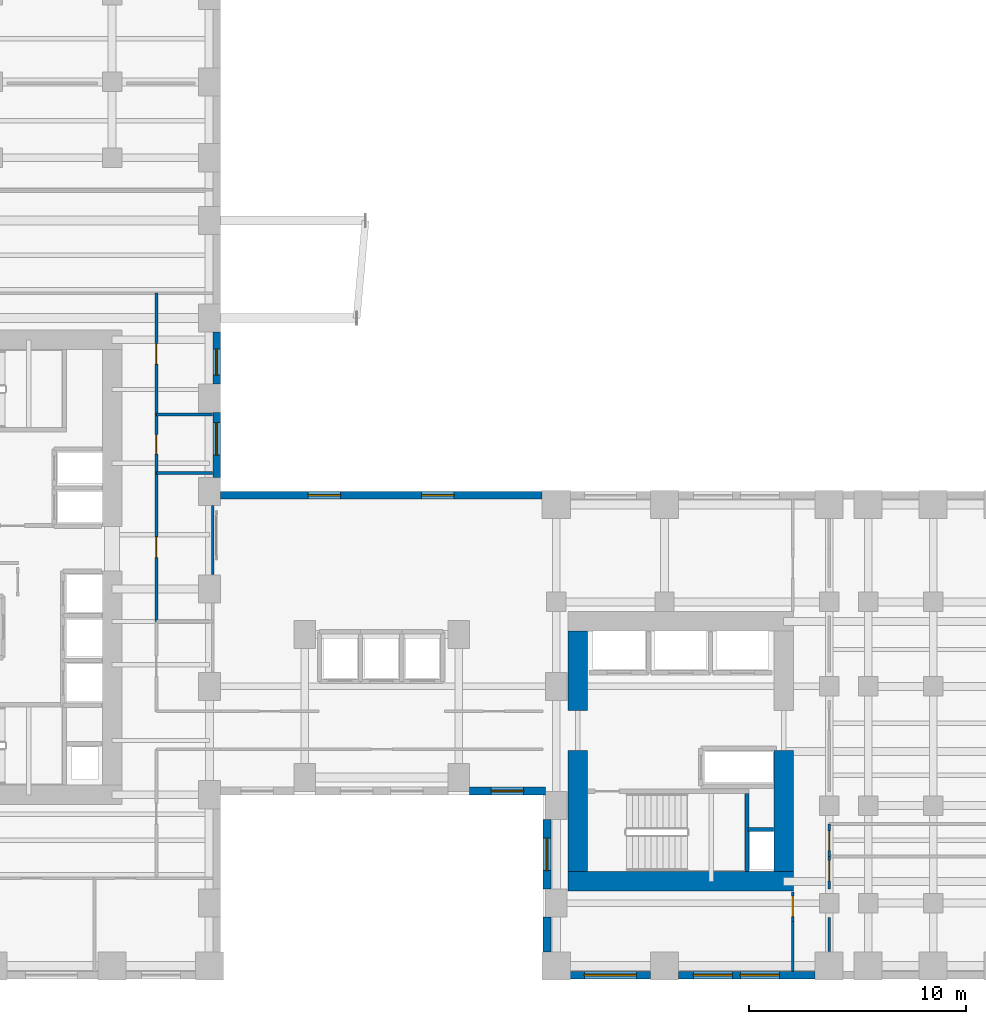
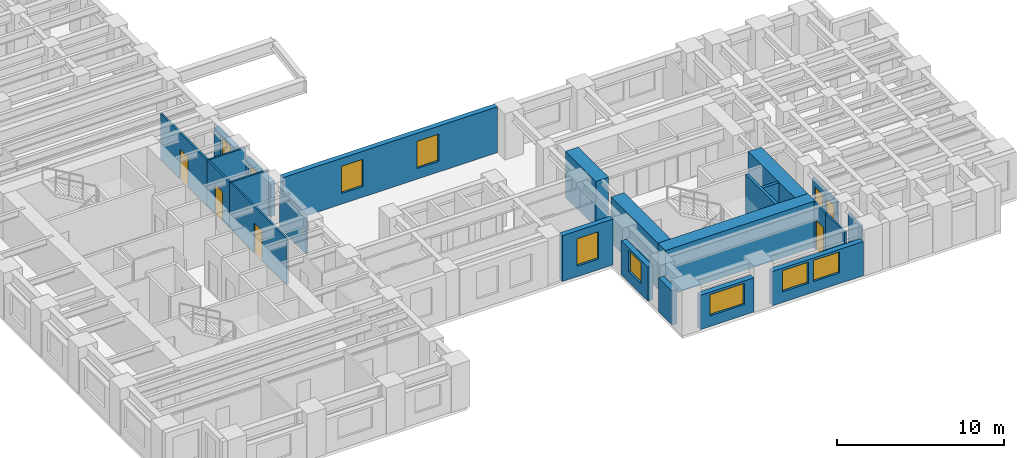
# One storey, part 8 of 13: 25 walls, 9 windows, 6 doors, 15 openings.
"""IFC4 building model written with IfcOpenShell, lengths in metres."""

from ifc_helpers import new_model, si_unit, direction, frame, frame_2d, origin, place, context, subcontext, project, spatial, rectangle, extrude, source, transform, mapped, material, layer, layer_set, type_object, element, fill, save


model = new_model("IFC4")

# Units and contexts
model_context = context("Model", 3, precision=1e-05, world=origin(), true_north=direction((0.0, 1.0)))
body_context = subcontext(model_context, "Body", "Model", "MODEL_VIEW")
ifc_project = project(units=[si_unit("LENGTHUNIT", "METRE"), si_unit("AREAUNIT", "SQUARE_METRE"), si_unit("VOLUMEUNIT", "CUBIC_METRE"), si_unit("PLANEANGLEUNIT", "RADIAN"), si_unit("MASSUNIT", "GRAM", prefix="KILO")], contexts=[model_context])

# Site, building, storey
site_placement = place(None, origin())
site = spatial("IfcSite", under=ifc_project, at=site_placement, CompositionType="ELEMENT")
building_placement = place(site_placement, origin())
building = spatial("IfcBuilding", under=site, at=building_placement, Name="Kharzan Plaza Tower", CompositionType="ELEMENT")
storey_placement = place(building_placement, frame((0.0, 0.0, 65.699951171875)))
storey = spatial("IfcBuildingStorey", under=building, at=storey_placement, Name="L17", CompositionType="ELEMENT", Elevation=65.699951171875)

# Wall, opening, window
ifc_material_1 = material(Name="Concrete C40/50", Category="concrete")
ifc_layer_1 = layer(ifc_material_1, 0.35009765625)
ifc_layer_set_1 = layer_set([ifc_layer_1], Name="Concrete C40/50")
wall_type_1 = type_object("IfcWallType", Name="WL-EXT-MAS-Z1", PredefinedType="SOLIDWALL", material=ifc_layer_set_1)
wall_1_placement = place(storey_placement, frame((30.998046875, 8.675048828125, 0.0), z_axis=(0.0, 0.0, 1.0), x_axis=(1.0, 0.0, 0.0)))
wall_1 = element("IfcWall", 1, at=wall_1_placement, inside=storey, type_object=wall_type_1, Name="L17 Masonry-Frame Exterior Wall 30", PredefinedType="SOLIDWALL", context=body_context, shape_type="SweptSolid", body=[
    extrude(rectangle(XDim=3.50390625, YDim=0.35009765625, at=frame_2d((1.751953125, 0.0))), origin(), (0.0, 0.0, 1.0), 3.364990234375),
])
opening_1_placement = place(wall_1_placement, frame((1.001953125, 0.0, 0.780029296875)))
opening_1 = element("IfcOpeningElement", 2, at=opening_1_placement, cuts=wall_1, Name="Opening W5", PredefinedType="OPENING", context=body_context, shape_type="SweptSolid", body=[
    extrude(rectangle(XDim=1.5, YDim=2.0, at=frame_2d((0.75, 1.0))), frame((0.0, 0.18505859375, 0.0), z_axis=(0.0, -1.0, 0.0), x_axis=(1.0, 0.0, 0.0)), (0.0, 0.0, 1.0), 0.3701171875),
])
ifc_material_2 = material(Name="Low-E Double Glazing", Category="glass")
window_type_1 = type_object("IfcWindowType", Name="WN-SLT-1500x2000", PartitioningType="SINGLE_PANEL", PredefinedType="WINDOW", material=ifc_material_2)
shared_shape_1 = source(origin(), body_context, "Body", "SweptSolid", [
    extrude(rectangle(XDim=1.5, YDim=2.0, at=frame_2d((0.75, 1.0))), frame((0.0, 0.030029296875, 0.0), z_axis=(0.0, -1.0, 0.0), x_axis=(1.0, 0.0, 0.0)), (0.0, 0.0, 1.0), 0.06005859375),
])
window_1_placement = place(opening_1_placement, origin())
window_1 = element("IfcWindow", 3, at=window_1_placement, inside=storey, type_object=window_type_1, Name="L17 Recessed Solar-Control Window 30-1", OverallHeight=2.0, OverallWidth=1.5, PartitioningType="SINGLE_PANEL", PredefinedType="WINDOW", context=body_context, shape_type="MappedRepresentation", body=[
    mapped(shared_shape_1, transform((0.0, 0.0, 0.0), x_axis=(1.0, 0.0, 0.0), y_axis=(0.0, 1.0, 0.0), z_axis=(0.0, 0.0, 1.0))),
])
fill(opening_1, window_1)

wall_2_placement = place(storey_placement, frame((34.574951171875, 7.35205078125, 0.0), z_axis=(0.0, 0.0, 1.0), x_axis=(0.0, -1.0, 0.0)))
wall_2 = element("IfcWall", 4, at=wall_2_placement, inside=storey, type_object=wall_type_1, Name="L17 Masonry-Frame Exterior Wall 31", PredefinedType="SOLIDWALL", context=body_context, shape_type="SweptSolid", body=[
    extrude(rectangle(XDim=3.2041015625, YDim=0.35009765625, at=frame_2d((1.60205078125, 0.0))), origin(), (0.0, 0.0, 1.0), 2.510009765625),
])
opening_2_placement = place(wall_2_placement, frame((0.85205078125, 0.0, 0.780029296875)))
opening_2 = element("IfcOpeningElement", 5, at=opening_2_placement, cuts=wall_2, Name="Opening W5", PredefinedType="OPENING", context=body_context, shape_type="SweptSolid", body=[
    extrude(rectangle(XDim=1.5, YDim=1.550048828125, at=frame_2d((0.75, 0.77490234375))), frame((0.0, 0.18505859375, 0.0), z_axis=(0.0, -1.0, 0.0), x_axis=(1.0, 0.0, 0.0)), (0.0, 0.0, 1.0), 0.3701171875),
])
shared_shape_2 = source(origin(), body_context, "Body", "SweptSolid", [
    extrude(rectangle(XDim=1.5, YDim=1.550048828125, at=frame_2d((0.75, 0.77490234375))), frame((0.0, 0.030029296875, 0.0), z_axis=(0.0, -1.0, 0.0), x_axis=(1.0, 0.0, 0.0)), (0.0, 0.0, 1.0), 0.06005859375),
])
window_2_placement = place(opening_2_placement, origin())
window_2 = element("IfcWindow", 6, at=window_2_placement, inside=storey, type_object=window_type_1, Name="L17 Recessed Solar-Control Window 31-1", OverallHeight=1.550048828125, OverallWidth=1.5, PartitioningType="SINGLE_PANEL", PredefinedType="WINDOW", context=body_context, shape_type="MappedRepresentation", body=[
    mapped(shared_shape_2, transform((0.0, 0.0, 0.0), x_axis=(1.0, 0.0, 0.0), y_axis=(0.0, 1.0, 0.0), z_axis=(0.0, 0.0, 1.0))),
])
fill(opening_2, window_2)

wall_3_placement = place(storey_placement, frame((35.64794921875, 0.175048828125, 0.0), z_axis=(0.0, 0.0, 1.0), x_axis=(1.0, 0.0, 0.0)))
wall_3 = element("IfcWall", 7, at=wall_3_placement, inside=storey, type_object=wall_type_1, Name="L17 Masonry-Frame Exterior Wall 33", PredefinedType="SOLIDWALL", context=body_context, shape_type="SweptSolid", body=[
    extrude(rectangle(XDim=3.7041015625, YDim=0.35009765625, at=frame_2d((1.85205078125, 0.0))), origin(), (0.0, 0.0, 1.0), 2.510009765625),
])
opening_3_placement = place(wall_3_placement, frame((0.652099609375, 0.0, 0.780029296875)))
opening_3 = element("IfcOpeningElement", 8, at=opening_3_placement, cuts=wall_3, Name="Opening W2", PredefinedType="OPENING", context=body_context, shape_type="SweptSolid", body=[
    extrude(rectangle(XDim=2.39990234375, YDim=1.550048828125, at=frame_2d((1.199951171875, 0.77490234375))), frame((0.0, 0.18505859375, 0.0), z_axis=(0.0, -1.0, 0.0), x_axis=(1.0, 0.0, 0.0)), (0.0, 0.0, 1.0), 0.3701171875),
])
window_type_2 = type_object("IfcWindowType", Name="WN-REC-2400x2100", PartitioningType="SINGLE_PANEL", PredefinedType="WINDOW", material=ifc_material_2)
shared_shape_3 = source(origin(), body_context, "Body", "SweptSolid", [
    extrude(rectangle(XDim=2.39990234375, YDim=1.550048828125, at=frame_2d((1.199951171875, 0.77490234375))), frame((0.0, 0.030029296875, 0.0), z_axis=(0.0, -1.0, 0.0), x_axis=(1.0, 0.0, 0.0)), (0.0, 0.0, 1.0), 0.06005859375),
])
window_3_placement = place(opening_3_placement, origin())
window_3 = element("IfcWindow", 9, at=window_3_placement, inside=storey, type_object=window_type_2, Name="L17 Wide Recessed Solar-Control Window 33-1", OverallHeight=1.550048828125, OverallWidth=2.39990234375, PartitioningType="SINGLE_PANEL", PredefinedType="WINDOW", context=body_context, shape_type="MappedRepresentation", body=[
    mapped(shared_shape_3, transform((0.0, 0.0, 0.0), x_axis=(1.0, 0.0, 0.0), y_axis=(0.0, 1.0, 0.0), z_axis=(0.0, 0.0, 1.0))),
])
fill(opening_3, window_3)

# Wall, openings, windows
wall_4_placement = place(storey_placement, frame((40.64794921875, 0.175048828125, 0.0), z_axis=(0.0, 0.0, 1.0), x_axis=(1.0, 0.0, 0.0)))
wall_4 = element("IfcWall", 10, at=wall_4_placement, inside=storey, type_object=wall_type_1, Name="L17 Masonry-Frame Exterior Wall 34", PredefinedType="SOLIDWALL", context=body_context, shape_type="SweptSolid", body=[
    extrude(rectangle(XDim=6.303955078125, YDim=0.35009765625, at=frame_2d((3.15185546875, 0.0))), origin(), (0.0, 0.0, 1.0), 2.510009765625),
])
opening_4_placement = place(wall_4_placement, frame((0.687255859375, 0.0, 0.780029296875)))
opening_4 = element("IfcOpeningElement", 11, at=opening_4_placement, cuts=wall_4, Name="Opening W1", PredefinedType="OPENING", context=body_context, shape_type="SweptSolid", body=[
    extrude(rectangle(XDim=1.800048828125, YDim=1.550048828125, at=frame_2d((0.89990234375, 0.77490234375))), frame((0.0, 0.18505859375, 0.0), z_axis=(0.0, -1.0, 0.0), x_axis=(1.0, 0.0, 0.0)), (0.0, 0.0, 1.0), 0.3701171875),
])
opening_5_placement = place(wall_4_placement, frame((2.854736328125, 0.0, 0.780029296875)))
opening_5 = element("IfcOpeningElement", 12, at=opening_5_placement, cuts=wall_4, Name="Opening W1", PredefinedType="OPENING", context=body_context, shape_type="SweptSolid", body=[
    extrude(rectangle(XDim=1.800048828125, YDim=1.550048828125, at=frame_2d((0.89990234375, 0.77490234375))), frame((0.0, 0.18505859375, 0.0), z_axis=(0.0, -1.0, 0.0), x_axis=(1.0, 0.0, 0.0)), (0.0, 0.0, 1.0), 0.3701171875),
])
window_type_3 = type_object("IfcWindowType", Name="WN-REC-1800x2100", PartitioningType="SINGLE_PANEL", PredefinedType="WINDOW", material=ifc_material_2)
shared_shape_4 = source(origin(), body_context, "Body", "SweptSolid", [
    extrude(rectangle(XDim=1.800048828125, YDim=1.550048828125, at=frame_2d((0.89990234375, 0.77490234375))), frame((0.0, 0.030029296875, 0.0), z_axis=(0.0, -1.0, 0.0), x_axis=(1.0, 0.0, 0.0)), (0.0, 0.0, 1.0), 0.06005859375),
])
window_4_placement = place(opening_4_placement, origin())
window_4 = element("IfcWindow", 13, at=window_4_placement, inside=storey, type_object=window_type_3, Name="L17 Recessed Solar-Control Window 34-1", OverallHeight=1.550048828125, OverallWidth=1.800048828125, PartitioningType="SINGLE_PANEL", PredefinedType="WINDOW", context=body_context, shape_type="MappedRepresentation", body=[
    mapped(shared_shape_4, transform((0.0, 0.0, 0.0), x_axis=(1.0, 0.0, 0.0), y_axis=(0.0, 1.0, 0.0), z_axis=(0.0, 0.0, 1.0))),
])
fill(opening_4, window_4)
window_5_placement = place(opening_5_placement, origin())
window_5 = element("IfcWindow", 14, at=window_5_placement, inside=storey, type_object=window_type_3, Name="L17 Recessed Solar-Control Window 34-2", OverallHeight=1.550048828125, OverallWidth=1.800048828125, PartitioningType="SINGLE_PANEL", PredefinedType="WINDOW", context=body_context, shape_type="MappedRepresentation", body=[
    mapped(shared_shape_4, transform((0.0, 0.0, 0.0), x_axis=(1.0, 0.0, 0.0), y_axis=(0.0, 1.0, 0.0), z_axis=(0.0, 0.0, 1.0))),
])
fill(opening_5, window_5)

wall_5_placement = place(storey_placement, frame((34.35205078125, 22.324951171875, 0.0), z_axis=(0.0, 0.0, 1.0), x_axis=(-1.0, 0.0, 0.0)))
wall_5 = element("IfcWall", 15, at=wall_5_placement, inside=storey, type_object=wall_type_1, Name="L17 Masonry-Frame Exterior Wall 53", PredefinedType="SOLIDWALL", context=body_context, shape_type="SweptSolid", body=[
    extrude(rectangle(XDim=14.85400390625, YDim=0.35009765625, at=frame_2d((7.427001953125, 0.0))), origin(), (0.0, 0.0, 1.0), 3.364990234375),
])
opening_6_placement = place(wall_5_placement, frame((4.05810546875, 0.0, 0.780029296875)))
opening_6 = element("IfcOpeningElement", 16, at=opening_6_placement, cuts=wall_5, Name="Opening W5", PredefinedType="OPENING", context=body_context, shape_type="SweptSolid", body=[
    extrude(rectangle(XDim=1.5, YDim=2.0, at=frame_2d((0.75, 1.0))), frame((0.0, 0.18505859375, 0.0), z_axis=(0.0, -1.0, 0.0), x_axis=(1.0, 0.0, 0.0)), (0.0, 0.0, 1.0), 0.3701171875),
])
opening_7_placement = place(wall_5_placement, frame((9.2958984375, 0.0, 0.780029296875)))
opening_7 = element("IfcOpeningElement", 17, at=opening_7_placement, cuts=wall_5, Name="Opening W5", PredefinedType="OPENING", context=body_context, shape_type="SweptSolid", body=[
    extrude(rectangle(XDim=1.5, YDim=2.0, at=frame_2d((0.75, 1.0))), frame((0.0, 0.18505859375, 0.0), z_axis=(0.0, -1.0, 0.0), x_axis=(1.0, 0.0, 0.0)), (0.0, 0.0, 1.0), 0.3701171875),
])
window_6_placement = place(opening_6_placement, origin())
window_6 = element("IfcWindow", 18, at=window_6_placement, inside=storey, type_object=window_type_1, Name="L17 Recessed Solar-Control Window 53-1", OverallHeight=2.0, OverallWidth=1.5, PartitioningType="SINGLE_PANEL", PredefinedType="WINDOW", context=body_context, shape_type="MappedRepresentation", body=[
    mapped(shared_shape_1, transform((0.0, 0.0, 0.0), x_axis=(1.0, 0.0, 0.0), y_axis=(0.0, 1.0, 0.0), z_axis=(0.0, 0.0, 1.0))),
])
fill(opening_6, window_6)
window_7_placement = place(opening_7_placement, origin())
window_7 = element("IfcWindow", 19, at=window_7_placement, inside=storey, type_object=window_type_1, Name="L17 Recessed Solar-Control Window 53-2", OverallHeight=2.0, OverallWidth=1.5, PartitioningType="SINGLE_PANEL", PredefinedType="WINDOW", context=body_context, shape_type="MappedRepresentation", body=[
    mapped(shared_shape_1, transform((0.0, 0.0, 0.0), x_axis=(1.0, 0.0, 0.0), y_axis=(0.0, 1.0, 0.0), z_axis=(0.0, 0.0, 1.0))),
])
fill(opening_7, window_7)

# Wall, opening, window
wall_6_placement = place(storey_placement, frame((19.324951171875, 23.14794921875, 0.0), z_axis=(0.0, 0.0, 1.0), x_axis=(0.0, 1.0, 0.0)))
wall_6 = element("IfcWall", 20, at=wall_6_placement, inside=storey, type_object=wall_type_1, Name="L17 Masonry-Frame Exterior Wall 54", PredefinedType="SOLIDWALL", context=body_context, shape_type="SweptSolid", body=[
    extrude(rectangle(XDim=3.004150390625, YDim=0.35009765625, at=frame_2d((1.501953125, 0.0))), origin(), (0.0, 0.0, 1.0), 2.510009765625),
])
opening_8_placement = place(wall_6_placement, frame((1.030517578125, 0.0, 0.780029296875)))
opening_8 = element("IfcOpeningElement", 21, at=opening_8_placement, cuts=wall_6, Name="Opening W5", PredefinedType="OPENING", context=body_context, shape_type="SweptSolid", body=[
    extrude(rectangle(XDim=1.5, YDim=1.550048828125, at=frame_2d((0.75, 0.77490234375))), frame((0.0, 0.18505859375, 0.0), z_axis=(0.0, -1.0, 0.0), x_axis=(1.0, 0.0, 0.0)), (0.0, 0.0, 1.0), 0.3701171875),
])
window_8_placement = place(opening_8_placement, origin())
window_8 = element("IfcWindow", 22, at=window_8_placement, inside=storey, type_object=window_type_1, Name="L17 Recessed Solar-Control Window 54-1", OverallHeight=1.550048828125, OverallWidth=1.5, PartitioningType="SINGLE_PANEL", PredefinedType="WINDOW", context=body_context, shape_type="MappedRepresentation", body=[
    mapped(shared_shape_2, transform((0.0, 0.0, 0.0), x_axis=(1.0, 0.0, 0.0), y_axis=(0.0, 1.0, 0.0), z_axis=(0.0, 0.0, 1.0))),
])
fill(opening_8, window_8)

wall_7_placement = place(storey_placement, frame((19.324951171875, 27.447998046875, 0.0), z_axis=(0.0, 0.0, 1.0), x_axis=(0.0, 1.0, 0.0)))
wall_7 = element("IfcWall", 23, at=wall_7_placement, inside=storey, type_object=wall_type_1, Name="L17 Masonry-Frame Exterior Wall 55", PredefinedType="SOLIDWALL", context=body_context, shape_type="SweptSolid", body=[
    extrude(rectangle(XDim=2.404052734375, YDim=0.35009765625, at=frame_2d((1.2021484375, 0.0))), origin(), (0.0, 0.0, 1.0), 2.510009765625),
])
opening_9_placement = place(wall_7_placement, frame((0.417236328125, 0.0, 0.780029296875)))
opening_9 = element("IfcOpeningElement", 24, at=opening_9_placement, cuts=wall_7, Name="Opening W3", PredefinedType="OPENING", context=body_context, shape_type="SweptSolid", body=[
    extrude(rectangle(XDim=1.199951171875, YDim=1.550048828125, at=frame_2d((0.60009765625, 0.77490234375))), frame((0.0, 0.18505859375, 0.0), z_axis=(0.0, -1.0, 0.0), x_axis=(1.0, 0.0, 0.0)), (0.0, 0.0, 1.0), 0.3701171875),
])
window_type_4 = type_object("IfcWindowType", Name="WN-REC-1200x2100", PartitioningType="SINGLE_PANEL", PredefinedType="WINDOW", material=ifc_material_2)
shared_shape_5 = source(origin(), body_context, "Body", "SweptSolid", [
    extrude(rectangle(XDim=1.199951171875, YDim=1.550048828125, at=frame_2d((0.60009765625, 0.77490234375))), frame((0.0, 0.030029296875, 0.0), z_axis=(0.0, -1.0, 0.0), x_axis=(1.0, 0.0, 0.0)), (0.0, 0.0, 1.0), 0.06005859375),
])
window_9_placement = place(opening_9_placement, origin())
window_9 = element("IfcWindow", 25, at=window_9_placement, inside=storey, type_object=window_type_4, Name="L17 Recessed Solar-Control Window 55-1", OverallHeight=1.550048828125, OverallWidth=1.199951171875, PartitioningType="SINGLE_PANEL", PredefinedType="WINDOW", context=body_context, shape_type="MappedRepresentation", body=[
    mapped(shared_shape_5, transform((0.0, 0.0, 0.0), x_axis=(1.0, 0.0, 0.0), y_axis=(0.0, 1.0, 0.0), z_axis=(0.0, 0.0, 1.0))),
])
fill(opening_9, window_9)

# Wall, opening, door
ifc_material_3 = material(Name="Fire-Rated Gypsum Board Partition", Category="gypsum")
ifc_layer_2 = layer(ifc_material_3, 0.125)
ifc_layer_set_2 = layer_set([ifc_layer_2], Name="Fire-Rated Gypsum Board Partition")
wall_type_2 = type_object("IfcWallType", Name="WL-INT-PART-125", PredefinedType="PARTITIONING", material=ifc_layer_set_2)
wall_8_placement = place(storey_placement, frame((16.550048828125, 16.5, 0.0), z_axis=(0.0, 0.0, 1.0), x_axis=(0.0, 1.0, 0.0)))
wall_8 = element("IfcWall", 26, at=wall_8_placement, inside=storey, type_object=wall_type_2, Name="L17 Interior Partition SH-AEWN2", PredefinedType="PARTITIONING", context=body_context, shape_type="SweptSolid", body=[
    extrude(rectangle(XDim=6.85009765625, YDim=0.125, at=frame_2d((3.425048828125, 0.0))), origin(), (0.0, 0.0, 1.0), 3.364990234375),
])
opening_10_placement = place(wall_8_placement, frame((2.949951171875, 0.0, 0.0)))
opening_10 = element("IfcOpeningElement", 27, at=opening_10_placement, cuts=wall_8, Name="Opening OD1", PredefinedType="OPENING", context=body_context, shape_type="SweptSolid", body=[
    extrude(rectangle(XDim=0.949951171875, YDim=2.14990234375, at=frame_2d((0.47509765625, 1.074951171875))), frame((0.0, 0.072509765625, 0.0), z_axis=(0.0, -1.0, 0.0), x_axis=(1.0, 0.0, 0.0)), (0.0, 0.0, 1.0), 0.14501953125),
])
ifc_material_4 = material(Name="Acoustic Solid-Core Stained Oak", Category="timber")
door_type_1 = type_object("IfcDoorType", Name="DR-OFF-SINGLE", OperationType="NOTDEFINED", PredefinedType="DOOR", material=ifc_material_4)
shared_shape_6 = source(origin(), body_context, "Body", "SweptSolid", [
    extrude(rectangle(XDim=0.949951171875, YDim=2.14990234375, at=frame_2d((0.47509765625, 1.074951171875))), frame((0.0, 0.02490234375, 0.0), z_axis=(0.0, -1.0, 0.0), x_axis=(1.0, 0.0, 0.0)), (0.0, 0.0, 1.0), 0.050048828125),
])
door_1_placement = place(opening_10_placement, origin())
door_1 = element("IfcDoor", 28, at=door_1_placement, inside=storey, type_object=door_type_1, Name="L17 Slot Studio Door", OperationType="SINGLE_SWING_RIGHT", OverallHeight=2.14990234375, OverallWidth=0.949951171875, PredefinedType="DOOR", context=body_context, shape_type="MappedRepresentation", body=[
    mapped(shared_shape_6, transform((0.0, 0.0, 0.0), x_axis=(1.0, 0.0, 0.0), y_axis=(0.0, 1.0, 0.0), z_axis=(0.0, 0.0, 1.0))),
])
fill(opening_10, door_1)

wall_9_placement = place(storey_placement, frame((16.550048828125, 26.050048828125, 0.0), z_axis=(0.0, 0.0, 1.0), x_axis=(0.0, 1.0, 0.0)))
wall_9 = element("IfcWall", 29, at=wall_9_placement, inside=storey, type_object=wall_type_2, Name="L17 Interior Partition SH-AEWN3", PredefinedType="PARTITIONING", context=body_context, shape_type="SweptSolid", body=[
    extrude(rectangle(XDim=5.599853515625, YDim=0.125, at=frame_2d((2.7998046875, 0.0))), origin(), (0.0, 0.0, 1.0), 3.364990234375),
])
opening_11_placement = place(wall_9_placement, frame((2.324951171875, 0.0, 0.0)))
opening_11 = element("IfcOpeningElement", 30, at=opening_11_placement, cuts=wall_9, Name="Opening OD1", PredefinedType="OPENING", context=body_context, shape_type="SweptSolid", body=[
    extrude(rectangle(XDim=0.949951171875, YDim=2.14990234375, at=frame_2d((0.47509765625, 1.074951171875))), frame((0.0, 0.072509765625, 0.0), z_axis=(0.0, -1.0, 0.0), x_axis=(1.0, 0.0, 0.0)), (0.0, 0.0, 1.0), 0.14501953125),
])
door_2_placement = place(opening_11_placement, origin())
door_2 = element("IfcDoor", 31, at=door_2_placement, inside=storey, type_object=door_type_1, Name="L17 Staff Tea Point Door", OperationType="SINGLE_SWING_RIGHT", OverallHeight=2.14990234375, OverallWidth=0.949951171875, PredefinedType="DOOR", context=body_context, shape_type="MappedRepresentation", body=[
    mapped(shared_shape_6, transform((0.0, 0.0, 0.0), x_axis=(1.0, 0.0, 0.0), y_axis=(0.0, 1.0, 0.0), z_axis=(0.0, 0.0, 1.0))),
])
fill(opening_11, door_2)

wall_10_placement = place(storey_placement, frame((16.550048828125, 23.35009765625, 0.0), z_axis=(0.0, 0.0, 1.0), x_axis=(0.0, 1.0, 0.0)))
wall_10 = element("IfcWall", 32, at=wall_10_placement, inside=storey, type_object=wall_type_2, Name="L17 Interior Partition SH-AEWW", PredefinedType="PARTITIONING", context=body_context, shape_type="SweptSolid", body=[
    extrude(rectangle(XDim=2.699951171875, YDim=0.125, at=frame_2d((1.35009765625, 0.0))), origin(), (0.0, 0.0, 1.0), 3.364990234375),
])
opening_12_placement = place(wall_10_placement, frame((0.875, 0.0, 0.0)))
opening_12 = element("IfcOpeningElement", 33, at=opening_12_placement, cuts=wall_10, Name="Opening WD1", PredefinedType="OPENING", context=body_context, shape_type="SweptSolid", body=[
    extrude(rectangle(XDim=0.89990234375, YDim=2.14990234375, at=frame_2d((0.449951171875, 1.074951171875))), frame((0.0, 0.072509765625, 0.0), z_axis=(0.0, -1.0, 0.0), x_axis=(1.0, 0.0, 0.0)), (0.0, 0.0, 1.0), 0.14501953125),
])
ifc_material_5 = material(Name="Moisture-Resistant Fire-Rated Laminate", Category="timber")
door_type_2 = type_object("IfcDoorType", Name="DR-WC-900", OperationType="NOTDEFINED", PredefinedType="DOOR", material=ifc_material_5)
shared_shape_7 = source(origin(), body_context, "Body", "SweptSolid", [
    extrude(rectangle(XDim=0.89990234375, YDim=2.14990234375, at=frame_2d((0.449951171875, 1.074951171875))), frame((0.0, 0.02490234375, 0.0), z_axis=(0.0, -1.0, 0.0), x_axis=(1.0, 0.0, 0.0)), (0.0, 0.0, 1.0), 0.050048828125),
])
door_3_placement = place(opening_12_placement, origin())
door_3 = element("IfcDoor", 34, at=door_3_placement, inside=storey, type_object=door_type_2, Name="L17 Wing A Washroom Door", OperationType="SINGLE_SWING_LEFT", OverallHeight=2.14990234375, OverallWidth=0.89990234375, PredefinedType="DOOR", context=body_context, shape_type="MappedRepresentation", body=[
    mapped(shared_shape_7, transform((0.0, 0.0, 0.0), x_axis=(1.0, 0.0, 0.0), y_axis=(0.0, 1.0, 0.0), z_axis=(0.0, 0.0, 1.0))),
])
fill(opening_12, door_3)

wall_11_placement = place(storey_placement, frame((47.60009765625, 4.159912109375, 0.0), z_axis=(0.0, 0.0, 1.0), x_axis=(0.0, 1.0, 0.0)))
wall_11 = element("IfcWall", 35, at=wall_11_placement, inside=storey, type_object=wall_type_2, Name="L17 Interior Partition SH-B0W0", PredefinedType="PARTITIONING", context=body_context, shape_type="SweptSolid", body=[
    extrude(rectangle(XDim=1.489990234375, YDim=0.125, at=frame_2d((0.7451171875, 0.0))), origin(), (0.0, 0.0, 1.0), 2.670166015625),
])
opening_13_placement = place(wall_11_placement, frame((0.360107421875, 0.0, 0.0)))
opening_13 = element("IfcOpeningElement", 36, at=opening_13_placement, cuts=wall_11, Name="Opening OD1", PredefinedType="OPENING", context=body_context, shape_type="SweptSolid", body=[
    extrude(rectangle(XDim=0.949951171875, YDim=2.14990234375, at=frame_2d((0.47509765625, 1.074951171875))), frame((0.0, 0.072509765625, 0.0), z_axis=(0.0, -1.0, 0.0), x_axis=(1.0, 0.0, 0.0)), (0.0, 0.0, 1.0), 0.14501953125),
])
door_4_placement = place(opening_13_placement, origin())
door_4 = element("IfcDoor", 37, at=door_4_placement, inside=storey, type_object=door_type_1, Name="L17 Wing B South Office Door", OperationType="SINGLE_SWING_RIGHT", OverallHeight=2.14990234375, OverallWidth=0.949951171875, PredefinedType="DOOR", context=body_context, shape_type="MappedRepresentation", body=[
    mapped(shared_shape_6, transform((0.0, 0.0, 0.0), x_axis=(1.0, 0.0, 0.0), y_axis=(0.0, 1.0, 0.0), z_axis=(0.0, 0.0, 1.0))),
])
fill(opening_13, door_4)

wall_12_placement = place(storey_placement, frame((47.60009765625, 5.64990234375, 0.0), z_axis=(0.0, 0.0, 1.0), x_axis=(0.0, 1.0, 0.0)))
wall_12 = element("IfcWall", 38, at=wall_12_placement, inside=storey, type_object=wall_type_2, Name="L17 Interior Partition SH-B0WC", PredefinedType="PARTITIONING", context=body_context, shape_type="SweptSolid", body=[
    extrude(rectangle(XDim=1.5, YDim=0.125, at=frame_2d((0.75, 0.0))), origin(), (0.0, 0.0, 1.0), 2.670166015625),
])
opening_14_placement = place(wall_12_placement, frame((0.27490234375, 0.0, 0.0)))
opening_14 = element("IfcOpeningElement", 39, at=opening_14_placement, cuts=wall_12, Name="Opening WD1", PredefinedType="OPENING", context=body_context, shape_type="SweptSolid", body=[
    extrude(rectangle(XDim=0.89990234375, YDim=2.14990234375, at=frame_2d((0.449951171875, 1.074951171875))), frame((0.0, 0.072509765625, 0.0), z_axis=(0.0, -1.0, 0.0), x_axis=(1.0, 0.0, 0.0)), (0.0, 0.0, 1.0), 0.14501953125),
])
door_5_placement = place(opening_14_placement, origin())
door_5 = element("IfcDoor", 40, at=door_5_placement, inside=storey, type_object=door_type_2, Name="L17 Wing B Washroom Door", OperationType="SINGLE_SWING_LEFT", OverallHeight=2.14990234375, OverallWidth=0.89990234375, PredefinedType="DOOR", context=body_context, shape_type="MappedRepresentation", body=[
    mapped(shared_shape_7, transform((0.0, 0.0, 0.0), x_axis=(1.0, 0.0, 0.0), y_axis=(0.0, 1.0, 0.0), z_axis=(0.0, 0.0, 1.0))),
])
fill(opening_14, door_5)

wall_13_placement = place(storey_placement, frame((45.919921875, 2.64990234375, 0.0), z_axis=(0.0, 0.0, 1.0), x_axis=(0.0, 1.0, 0.0)))
wall_13 = element("IfcWall", 41, at=wall_13_placement, inside=storey, type_object=wall_type_2, Name="L17 Interior Partition SH-RBSE", PredefinedType="PARTITIONING", context=body_context, shape_type="SweptSolid", body=[
    extrude(rectangle(XDim=1.3701171875, YDim=0.125, at=frame_2d((0.68505859375, 0.0))), origin(), (0.0, 0.0, 1.0), 3.364990234375),
])
opening_15_placement = place(wall_13_placement, frame((0.22509765625, 0.0, 0.0)))
opening_15 = element("IfcOpeningElement", 42, at=opening_15_placement, cuts=wall_13, Name="Opening OD1", PredefinedType="OPENING", context=body_context, shape_type="SweptSolid", body=[
    extrude(rectangle(XDim=0.949951171875, YDim=2.14990234375, at=frame_2d((0.47509765625, 1.074951171875))), frame((0.0, 0.072509765625, 0.0), z_axis=(0.0, -1.0, 0.0), x_axis=(1.0, 0.0, 0.0)), (0.0, 0.0, 1.0), 0.14501953125),
])
door_6_placement = place(opening_15_placement, origin())
door_6 = element("IfcDoor", 43, at=door_6_placement, inside=storey, type_object=door_type_1, Name="L17 South-East Corner Office Door", OperationType="SINGLE_SWING_RIGHT", OverallHeight=2.14990234375, OverallWidth=0.949951171875, PredefinedType="DOOR", context=body_context, shape_type="MappedRepresentation", body=[
    mapped(shared_shape_6, transform((0.0, 0.0, 0.0), x_axis=(1.0, 0.0, 0.0), y_axis=(0.0, 1.0, 0.0), z_axis=(0.0, 0.0, 1.0))),
])
fill(opening_15, door_6)

# Walls
shared_shape_8 = source(origin(), body_context, "Body", "SweptSolid", [
    extrude(rectangle(XDim=1.60400390625, YDim=0.35009765625, at=frame_2d((0.802001953125, 0.0))), origin(), (0.0, 0.0, 1.0), 2.510009765625),
])
wall_14_placement = place(storey_placement, frame((34.574951171875, 2.85205078125, 0.0), z_axis=(0.0, 0.0, 1.0), x_axis=(0.0, -1.0, 0.0)))
element("IfcWall", 44, at=wall_14_placement, inside=storey, type_object=wall_type_1, Name="L17 Masonry-Frame Exterior Wall 32", PredefinedType="SOLIDWALL", context=body_context, shape_type="MappedRepresentation", body=[
    mapped(shared_shape_8, transform((0.0, 0.0, 0.0), x_axis=(1.0, 0.0, 0.0), y_axis=(0.0, 1.0, 0.0), z_axis=(0.0, 0.0, 1.0))),
])
shared_shape_9 = source(origin(), body_context, "Body", "SweptSolid", [
    extrude(rectangle(XDim=2.597900390625, YDim=0.125, at=frame_2d((1.298828125, 0.0))), origin(), (0.0, 0.0, 1.0), 3.364990234375),
])
for number, where, z_axis, x_axis, name in (
    (45, (16.550048828125, 23.35009765625, 0.0), (0.0, 0.0, 1.0), (1.0, 0.0, 0.0), "L17 Interior Partition SH-AEH-233"),
    (46, (16.550048828125, 26.050048828125, 0.0), (0.0, 0.0, 1.0), (1.0, 0.0, 0.0), "L17 Interior Partition SH-AEH-260"),
):
    element("IfcWall", number, at=place(storey_placement, frame(where, z_axis=z_axis, x_axis=x_axis)), inside=storey, type_object=wall_type_2, Name=name, PredefinedType="PARTITIONING", context=body_context, shape_type="MappedRepresentation", body=[
        mapped(shared_shape_9, transform((0.0, 0.0, 0.0), x_axis=(1.0, 0.0, 0.0), y_axis=(0.0, 1.0, 0.0), z_axis=(0.0, 0.0, 1.0))),
    ])
shared_shape_10 = source(origin(), body_context, "Body", "SweptSolid", [
    extrude(rectangle(XDim=2.2978515625, YDim=0.125, at=frame_2d((1.14892578125, 0.0))), origin(), (0.0, 0.0, 1.0), 3.364990234375),
])
wall_15_placement = place(storey_placement, frame((45.919921875, 0.35205078125, 0.0), z_axis=(0.0, 0.0, 1.0), x_axis=(0.0, 1.0, 0.0)))
element("IfcWall", 47, at=wall_15_placement, inside=storey, type_object=wall_type_2, Name="L17 Interior Partition SH-RBSE0", PredefinedType="PARTITIONING", context=body_context, shape_type="MappedRepresentation", body=[
    mapped(shared_shape_10, transform((0.0, 0.0, 0.0), x_axis=(1.0, 0.0, 0.0), y_axis=(0.0, 1.0, 0.0), z_axis=(0.0, 0.0, 1.0))),
])
ifc_layer_3 = layer(ifc_material_1, 0.199951171875)
ifc_layer_set_3 = layer_set([ifc_layer_3], Name="Concrete C40/50")
wall_type_3 = type_object("IfcWallType", Name="WL-INT-SHAFT-200", PredefinedType="PARTITIONING", material=ifc_layer_set_3)
shared_shape_11 = source(origin(), body_context, "Body", "SweptSolid", [
    extrude(rectangle(XDim=1.169921875, YDim=0.199951171875, at=frame_2d((0.5849609375, 0.0))), origin(), (0.0, 0.0, 1.0), 3.364990234375),
])
wall_16_placement = place(storey_placement, frame((43.85009765625, 6.89990234375, 0.0), z_axis=(0.0, 0.0, 1.0), x_axis=(1.0, 0.0, 0.0)))
element("IfcWall", 48, at=wall_16_placement, inside=storey, type_object=wall_type_3, Name="L17 Interior Partition CB-RSRB-N", PredefinedType="PARTITIONING", context=body_context, shape_type="MappedRepresentation", body=[
    mapped(shared_shape_11, transform((0.0, 0.0, 0.0), x_axis=(1.0, 0.0, 0.0), y_axis=(0.0, 1.0, 0.0), z_axis=(0.0, 0.0, 1.0))),
])
ifc_material_6 = material(Name="Concrete C60/75", Category="concrete")
ifc_layer_4 = layer(ifc_material_6, 0.89990234375)
ifc_layer_set_4 = layer_set([ifc_layer_4], Name="Concrete C60/75")
wall_type_4 = type_object("IfcWallType", Name="WL-CORE-900", PredefinedType="SHEAR", material=ifc_layer_set_4)
shared_shape_12 = source(origin(), body_context, "Body", "SweptSolid", [
    extrude(rectangle(XDim=5.60009765625, YDim=0.89990234375, at=frame_2d((2.800048828125, 0.0))), origin(), (0.0, 0.0, 1.0), 3.380126953125),
])
for number, where, z_axis, x_axis, name in (
    (49, (45.5, 4.949951171875, 0.0), (0.0, 0.0, 1.0), (0.0, 1.0, 0.0), "L17 CORE-B east shear pier 1"),
    (50, (36.0, 4.949951171875, 0.0), (0.0, 0.0, 1.0), (0.0, 1.0, 0.0), "L17 CORE-B west shear pier 1"),
):
    element("IfcWall", number, at=place(storey_placement, frame(where, z_axis=z_axis, x_axis=x_axis)), inside=storey, type_object=wall_type_4, Name=name, PredefinedType="SHEAR", context=body_context, shape_type="MappedRepresentation", body=[
        mapped(shared_shape_12, transform((0.0, 0.0, 0.0), x_axis=(1.0, 0.0, 0.0), y_axis=(0.0, 1.0, 0.0), z_axis=(0.0, 0.0, 1.0))),
    ])
shared_shape_13 = source(origin(), body_context, "Body", "SweptSolid", [
    extrude(rectangle(XDim=3.650146484375, YDim=0.89990234375, at=frame_2d((1.8251953125, 0.0))), origin(), (0.0, 0.0, 1.0), 3.380126953125),
])
wall_17_placement = place(storey_placement, frame((36.0, 12.39990234375, 0.0), z_axis=(0.0, 0.0, 1.0), x_axis=(0.0, 1.0, 0.0)))
element("IfcWall", 51, at=wall_17_placement, inside=storey, type_object=wall_type_4, Name="L17 CORE-B west shear pier 2", PredefinedType="SHEAR", context=body_context, shape_type="MappedRepresentation", body=[
    mapped(shared_shape_13, transform((0.0, 0.0, 0.0), x_axis=(1.0, 0.0, 0.0), y_axis=(0.0, 1.0, 0.0), z_axis=(0.0, 0.0, 1.0))),
])
shared_shape_14 = source(origin(), body_context, "Body", "SweptSolid", [
    extrude(rectangle(XDim=10.39990234375, YDim=0.89990234375, at=frame_2d((5.199951171875, 0.0))), origin(), (0.0, 0.0, 1.0), 3.380126953125),
])
wall_18_placement = place(storey_placement, frame((35.550048828125, 4.5, 0.0), z_axis=(0.0, 0.0, 1.0), x_axis=(1.0, 0.0, 0.0)))
element("IfcWall", 52, at=wall_18_placement, inside=storey, type_object=wall_type_4, Name="L17 CORE-B south RC shear wall", PredefinedType="SHEAR", context=body_context, shape_type="MappedRepresentation", body=[
    mapped(shared_shape_14, transform((0.0, 0.0, 0.0), x_axis=(1.0, 0.0, 0.0), y_axis=(0.0, 1.0, 0.0), z_axis=(0.0, 0.0, 1.0))),
])
shared_shape_15 = source(origin(), body_context, "Body", "SweptSolid", [
    extrude(rectangle(XDim=3.18017578125, YDim=0.125, at=frame_2d((1.590087890625, 0.0))), origin(), (0.0, 0.0, 1.0), 2.670166015625),
])
wall_19_placement = place(storey_placement, frame((19.14990234375, 18.659912109375, 0.0), z_axis=(0.0, 0.0, 1.0), x_axis=(0.0, 1.0, 0.0)))
element("IfcWall", 53, at=wall_19_placement, inside=storey, type_object=wall_type_2, Name="L17 Interior Partition SH-AEN-DIV-S2", PredefinedType="PARTITIONING", context=body_context, shape_type="MappedRepresentation", body=[
    mapped(shared_shape_15, transform((0.0, 0.0, 0.0), x_axis=(1.0, 0.0, 0.0), y_axis=(0.0, 1.0, 0.0), z_axis=(0.0, 0.0, 1.0))),
])
ifc_material_7 = material(Name="Concrete C50/60", Category="concrete")
ifc_layer_5 = layer(ifc_material_7, 0.199951171875)
ifc_layer_set_5 = layer_set([ifc_layer_5], Name="Concrete C50/60")
wall_type_5 = type_object("IfcWallType", Name="WL-SHAFT-RC200", PredefinedType="SHEAR", material=ifc_layer_set_5)
shared_shape_16 = source(origin(), body_context, "Body", "SweptSolid", [
    extrude(rectangle(XDim=3.60302734375, YDim=0.199951171875, at=frame_2d((1.801513671875, 0.0))), origin(), (0.0, 0.0, 1.0), 3.380126953125),
])
wall_20_placement = place(storey_placement, frame((43.804931640625, 4.951904296875, 0.0), z_axis=(0.0, 0.0, 1.0), x_axis=(0.0, 1.0, 0.0)))
element("IfcWall", 54, at=wall_20_placement, inside=storey, type_object=wall_type_5, Name="L17 Stair ST-3 East RC Shaft Wall", PredefinedType="SHEAR", context=body_context, shape_type="MappedRepresentation", body=[
    mapped(shared_shape_16, transform((0.0, 0.0, 0.0), x_axis=(1.0, 0.0, 0.0), y_axis=(0.0, 1.0, 0.0), z_axis=(0.0, 0.0, 1.0))),
])
shared_shape_17 = source(origin(), body_context, "Body", "SweptSolid", [
    extrude(rectangle(XDim=1.580078125, YDim=0.125, at=frame_2d((0.7900390625, 0.0))), origin(), (0.0, 0.0, 1.0), 2.670166015625),
])
wall_21_placement = place(storey_placement, frame((47.60009765625, 1.260009765625, 0.0), z_axis=(0.0, 0.0, 1.0), x_axis=(0.0, 1.0, 0.0)))
element("IfcWall", 55, at=wall_21_placement, inside=storey, type_object=wall_type_2, Name="L17 Interior Partition SH-B0W0S", PredefinedType="PARTITIONING", context=body_context, shape_type="MappedRepresentation", body=[
    mapped(shared_shape_17, transform((0.0, 0.0, 0.0), x_axis=(1.0, 0.0, 0.0), y_axis=(0.0, 1.0, 0.0), z_axis=(0.0, 0.0, 1.0))),
])

save(model, "model.ifc")
